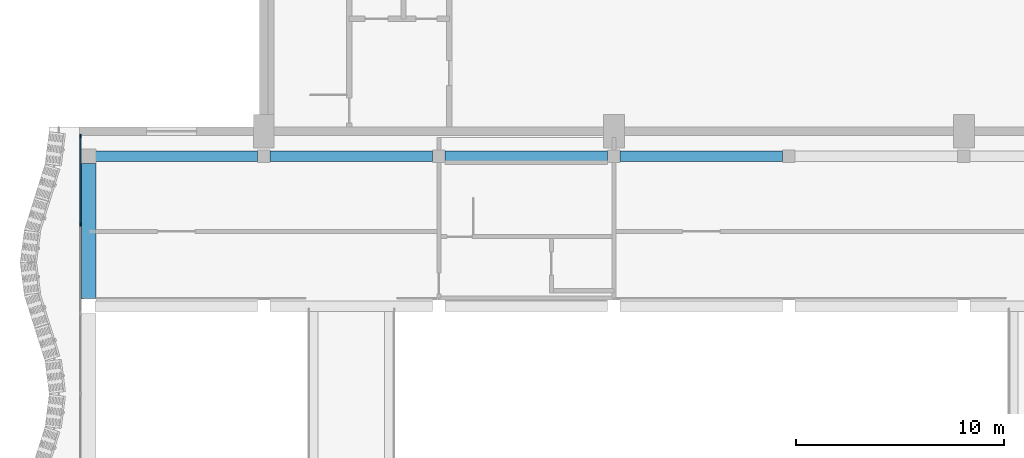
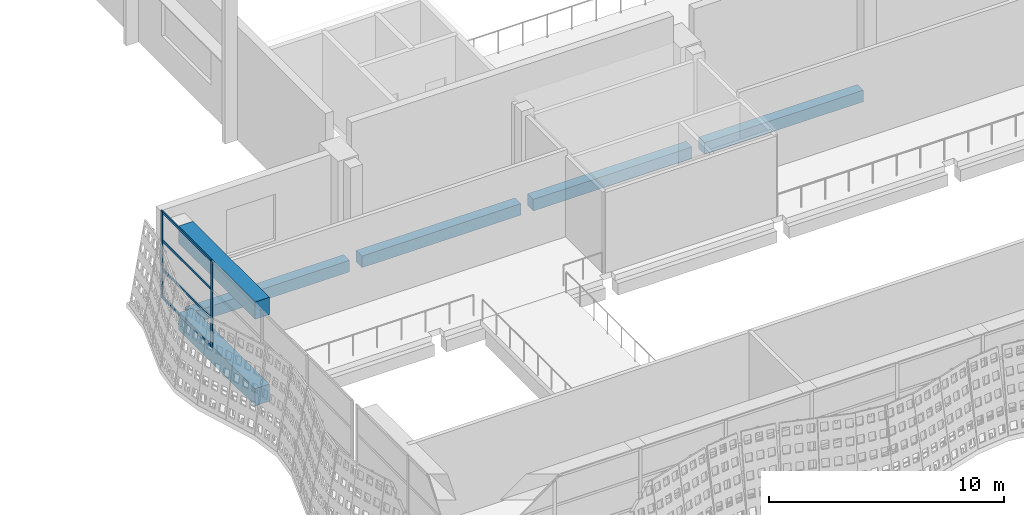
# One storey, part 30 of 162: 6 beams, 6 members, 1 element without a shape of its own.
"""IFC4 building model written with IfcOpenShell, lengths in metres."""

import ifcopenshell
import ifcopenshell.guid

model = None  # the IFC model being written
_history = None  # IfcOwnerHistory: only IFC2X3 demands one
_inside = {}  # id of a spatial element -> (the spatial element, [elements in it])
_under = {}  # id of a project, library or spatial element -> (it, [spatial elements below it])
_declared = {}  # id of a project -> (the project, [libraries it declares])
_typed = {}  # id of a type object -> (the type object, [elements of that type])
_made_of = {}  # id of a material, layer set ... -> (it, [elements and type objects made of it])


def new_model(schema):
    """Start an empty IFC model of exactly this schema.

    Asked for "IFC4X3", IfcOpenShell would pick the latest addendum, in which some entities
    have other attributes; the version numbers below select the first issue.
    IFC2X3 requires an IfcOwnerHistory on every rooted entity: one is made here for all.
    """
    global model, _history
    if schema == "IFC4X3":
        model = ifcopenshell.file(schema_version=(4, 3, 0, 0))
    else:
        model = ifcopenshell.file(schema=schema)
    _inside.clear()
    _under.clear()
    _declared.clear()
    _typed.clear()
    _made_of.clear()
    _history = None
    if model.schema == "IFC2X3":
        org = make("IfcOrganization", Name="unknown")
        user = make(
            "IfcPersonAndOrganization",
            ThePerson=make("IfcPerson", FamilyName="unknown"),
            TheOrganization=org,
        )
        app = make(
            "IfcApplication",
            ApplicationDeveloper=org,
            Version="unknown",
            ApplicationFullName="unknown",
            ApplicationIdentifier="unknown",
        )
        _history = make(
            "IfcOwnerHistory",
            OwningUser=user,
            OwningApplication=app,
            ChangeAction="ADDED",
            CreationDate=0,
        )
    return model


def make(cls, **values):
    """One entity of the class cls with the attributes given. An attribute that is None is left unset."""
    return model.create_entity(
        cls, **{name: value for name, value in values.items() if value is not None}
    )


def rooted(cls, **values):
    """An entity with a GlobalId (a new one), such as an element, a storey or a relation."""
    return make(cls, GlobalId=ifcopenshell.guid.new(), OwnerHistory=_history, **values)


def si_unit(unit_type, name, prefix=None):
    """IfcSIUnit, for example si_unit("LENGTHUNIT", "METRE", prefix="MILLI")."""
    return make("IfcSIUnit", UnitType=unit_type, Prefix=prefix, Name=name)


def assignment(units):
    """IfcUnitAssignment: the units of a project."""
    return None if units is None else make("IfcUnitAssignment", Units=units)


def point(xyz):
    """IfcCartesianPoint."""
    return None if xyz is None else make("IfcCartesianPoint", Coordinates=xyz)


def direction(xyz):
    """IfcDirection."""
    return None if xyz is None else make("IfcDirection", DirectionRatios=xyz)


def frame(location, z_axis=None, x_axis=None):
    """IfcAxis2Placement3D, a coordinate frame: its origin and axes. An axis left out is left unset."""
    return make(
        "IfcAxis2Placement3D",
        Location=point(location),
        Axis=direction(z_axis),
        RefDirection=direction(x_axis),
    )


def frame_2d(location, x_axis=None):
    """IfcAxis2Placement2D, a coordinate frame in the plane: its origin and x axis."""
    return make(
        "IfcAxis2Placement2D", Location=point(location), RefDirection=direction(x_axis)
    )


def origin():
    """The frame at (0, 0, 0) with its axes left unset."""
    return frame((0.0, 0.0, 0.0))


def origin_2d():
    """The frame at (0, 0) in the plane with its x axis left unset."""
    return frame_2d((0.0, 0.0))


def place(relative_to, where):
    """IfcLocalPlacement: puts the frame where relative to a parent placement (None: the world)."""
    return make(
        "IfcLocalPlacement", PlacementRelTo=relative_to, RelativePlacement=where
    )


def context(
    kind, dimensions, precision=None, world=None, true_north=None, identifier=None
):
    """IfcGeometricRepresentationContext, for example the 3D "Model" context."""
    return make(
        "IfcGeometricRepresentationContext",
        ContextIdentifier=identifier,
        ContextType=kind,
        CoordinateSpaceDimension=dimensions,
        Precision=precision,
        WorldCoordinateSystem=world,
        TrueNorth=true_north,
    )


def subcontext(parent, identifier, kind, view, scale=None):
    """IfcGeometricRepresentationSubContext, for example "Body" below "Model"."""
    return make(
        "IfcGeometricRepresentationSubContext",
        ContextIdentifier=identifier,
        ContextType=kind,
        ParentContext=parent,
        TargetScale=scale,
        TargetView=view,
    )


def project(units=None, contexts=None):
    """IfcProject with its units and contexts."""
    return rooted(
        "IfcProject",
        Name="project",
        RepresentationContexts=contexts,
        UnitsInContext=assignment(units),
    )


def spatial(cls, under=None, at=None, **own):
    """A site, building, storey or space (cls), placed at a placement, below another one or the project."""
    s = rooted(cls, ObjectPlacement=at, **own)
    if under is not None:
        _under.setdefault(under.id(), (under, []))[1].append(s)
    return s


def profile(cls, at=None, kind="AREA", **sizes):
    """A parametric profile (cls). Its sizes go by their IFC names, for example OverallWidth=200.0."""
    return make(cls, ProfileType=kind, Position=at, **sizes)


def rectangle(**sizes):
    """IfcRectangleProfileDef."""
    return profile("IfcRectangleProfileDef", **sizes)


def extrude(swept, where, along, depth):
    """IfcExtrudedAreaSolid: the profile swept, set in the frame where, extruded along a direction by depth."""
    return make(
        "IfcExtrudedAreaSolid",
        SweptArea=swept,
        Position=where,
        ExtrudedDirection=direction(along),
        Depth=depth,
    )


def shape(context_of_items, identifier, shape_type, items):
    """IfcShapeRepresentation: the items that make up one representation, for example the "Body"."""
    return make(
        "IfcShapeRepresentation",
        ContextOfItems=context_of_items,
        RepresentationIdentifier=identifier,
        RepresentationType=shape_type,
        Items=items,
    )


def material(Name=None, Category=None):
    """IfcMaterial."""
    return make("IfcMaterial", Name=Name, Category=Category)


def layer(
    of_material, thickness, ventilated=None, Name=None, Category=None, Priority=None
):
    """IfcMaterialLayer: one layer of a wall or slab, of a material (None: an air gap)."""
    return make(
        "IfcMaterialLayer",
        Material=of_material,
        LayerThickness=thickness,
        IsVentilated=ventilated,
        Name=Name,
        Category=Category,
        Priority=Priority,
    )


def layer_set(layers, Name=None):
    """IfcMaterialLayerSet."""
    return make("IfcMaterialLayerSet", MaterialLayers=layers, LayerSetName=Name)


def material_profile(
    of_material, cross_section, Name=None, Category=None, Priority=None
):
    """IfcMaterialProfile: a cross section and its material."""
    return make(
        "IfcMaterialProfile",
        Name=Name,
        Material=of_material,
        Profile=cross_section,
        Priority=Priority,
        Category=Category,
    )


def profile_set(profiles, Name=None, composite=None):
    """IfcMaterialProfileSet."""
    return make(
        "IfcMaterialProfileSet",
        Name=Name,
        MaterialProfiles=profiles,
        CompositeProfile=composite,
    )


def made_of(thing, what):
    """Note that an element or type object is made of a material, layer set ...; save() writes the relation."""
    if what is not None:
        _made_of.setdefault(what.id(), (what, []))[1].append(thing)
    return thing


def type_object(cls, material=None, **own):
    """A type object (cls), such as IfcWallType, which elements share."""
    return made_of(rooted(cls, **own), material)


def element(
    cls,
    number,
    at=None,
    inside=None,
    cuts=None,
    type_object=None,
    material=None,
    context=None,
    identifier="Body",
    shape_type=None,
    held_by="IfcProductDefinitionShape",
    body=None,
    shapes=None,
    **own,
):
    """One element of the class cls, such as IfcWall. Its Tag is "e" and its number.

    at: its placement. inside: the storey or other place that contains it. cuts: it is an
    opening in that element (IfcRelVoidsElement). A single representation is given by context,
    identifier, shape_type and body (its items); several are given by shapes. held_by: the class
    of the entity that holds the representations. save() writes the other relations.
    """
    e = rooted(cls, Tag="e%d" % number, ObjectPlacement=at, **own)
    if body is not None:
        shapes = [shape(context, identifier, shape_type, body)]
    if shapes is not None:
        e.Representation = make(held_by, Representations=shapes)
    if inside is not None:
        _inside.setdefault(inside.id(), (inside, []))[1].append(e)
    if cuts is not None:
        rooted(
            "IfcRelVoidsElement", RelatingBuildingElement=cuts, RelatedOpeningElement=e
        )
    if type_object is not None:
        _typed.setdefault(type_object.id(), (type_object, []))[1].append(e)
    return made_of(e, material)


def aggregate(whole, parts):
    """IfcRelAggregates: a whole, such as a stair, and the parts it consists of."""
    return rooted("IfcRelAggregates", RelatingObject=whole, RelatedObjects=parts)


def save(model, path):
    """Write the relations noted so far, then the file.

    IfcRelAggregates (storeys below a building ...), IfcRelContainedInSpatialStructure (elements
    in a storey), IfcRelDefinesByType, IfcRelAssociatesMaterial and IfcRelDeclares: one each for
    every whole, place, type object, material and project.
    """
    for whole, parts in _under.values():
        aggregate(whole, parts)
    for where, things in _inside.values():
        rooted(
            "IfcRelContainedInSpatialStructure",
            RelatedElements=things,
            RelatingStructure=where,
        )
    for kind, things in _typed.values():
        rooted("IfcRelDefinesByType", RelatedObjects=things, RelatingType=kind)
    for what, things in _made_of.values():
        rooted("IfcRelAssociatesMaterial", RelatedObjects=things, RelatingMaterial=what)
    for by, libraries in _declared.values():
        rooted("IfcRelDeclares", RelatingContext=by, RelatedDefinitions=libraries)
    model.write(path)


model = new_model("IFC4")

# Units and contexts
model_context = context("Model", 3, precision=1e-05, world=origin(), true_north=direction((0.0, 1.0)))
body_context = subcontext(model_context, "Body", "Model", "MODEL_VIEW")
ifc_project = project(units=[si_unit("LENGTHUNIT", "METRE"), si_unit("AREAUNIT", "SQUARE_METRE"), si_unit("VOLUMEUNIT", "CUBIC_METRE"), si_unit("PLANEANGLEUNIT", "RADIAN"), si_unit("MASSUNIT", "GRAM", prefix="KILO")], contexts=[model_context])

# Site, building, storey
site_placement = place(None, origin())
site = spatial("IfcSite", under=ifc_project, at=site_placement, CompositionType="ELEMENT")
building_placement = place(site_placement, origin())
building = spatial("IfcBuilding", under=site, at=building_placement, Name="Rain Tree Exposition and Congress Centre", CompositionType="ELEMENT")
storey_placement = place(building_placement, frame((0.0, 0.0, 6.0)))
storey = spatial("IfcBuildingStorey", under=building, at=storey_placement, Name="L01", CompositionType="ELEMENT", Elevation=6.0)

# Curtain wall, members
ifc_material_1 = material(Name="Aluminium curtain wall system", Category="aluminium")
ifc_layer = layer(ifc_material_1, 0.10009765625)
ifc_layer_set = layer_set([ifc_layer], Name="Aluminium curtain wall system")
curtain_wall_type = type_object("IfcCurtainWallType", Name="Concourse curtain wall 4200 module", PredefinedType="NOTDEFINED", material=ifc_layer_set)
curtain_wall_placement = place(storey_placement, origin())
curtain_wall = element("IfcCurtainWall", 1, at=curtain_wall_placement, inside=storey, type_object=curtain_wall_type, Name="Concourse curtain wall CWC34", PredefinedType="NOTDEFINED")
ifc_material_2 = material(Name="Aluminium mullion", Category="aluminium")
ifc_material_profile_1 = material_profile(ifc_material_2, rectangle(XDim=0.06005859375, YDim=0.159912109375, at=origin_2d()), Name="AL 60x160")
ifc_profile_set_1 = profile_set([ifc_material_profile_1], Name="Aluminium mullion")
member_type_1 = type_object("IfcMemberType", Name="Concourse curtain wall mullion 60x160", PredefinedType="MULLION", material=ifc_profile_set_1)
member_1_placement = place(storey_placement, frame((-0.39990234375, 96.324951171875, 0.0), z_axis=(0.0, 0.0, 1.0), x_axis=(-1.0, 0.0, 0.0)))
member_1 = element("IfcMember", 2, at=member_1_placement, type_object=member_type_1, Name="CWC34 mullion 2", PredefinedType="MULLION", context=body_context, shape_type="SweptSolid", body=[
    extrude(rectangle(XDim=0.06005859375, YDim=0.159912109375, at=origin_2d()), origin(), (0.0, 0.0, 1.0), 4.5),
])
member_2_placement = place(storey_placement, frame((-0.39990234375, 100.570068359375, 0.0), z_axis=(0.0, 0.0, 1.0), x_axis=(-1.0, 0.0, 0.0)))
member_2 = element("IfcMember", 3, at=member_2_placement, type_object=member_type_1, Name="CWC34 mullion 3", PredefinedType="MULLION", context=body_context, shape_type="SweptSolid", body=[
    extrude(rectangle(XDim=0.06005859375, YDim=0.159912109375, at=origin_2d()), origin(), (0.0, 0.0, 1.0), 4.5),
])
ifc_material_3 = material(Name="Aluminium transom", Category="aluminium")
ifc_material_profile_2 = material_profile(ifc_material_3, rectangle(XDim=0.06005859375, YDim=0.1201171875, at=origin_2d()), Name="AL 60x120")
ifc_profile_set_2 = profile_set([ifc_material_profile_2], Name="Aluminium transom")
member_type_2 = type_object("IfcMemberType", Name="Concourse curtain wall transom 60x120", PredefinedType="USERDEFINED", material=ifc_profile_set_2)
member_3_placement = place(storey_placement, frame((-0.39990234375, 96.35498046875, 0.030029296875), z_axis=(0.0, 1.0, 0.0), x_axis=(-1.0, 0.0, 0.0)))
member_3 = element("IfcMember", 4, at=member_3_placement, type_object=member_type_2, Name="CWC34 transom 2.1", ObjectType="TRANSOM", PredefinedType="USERDEFINED", context=body_context, shape_type="SweptSolid", body=[
    extrude(rectangle(XDim=0.06005859375, YDim=0.1201171875, at=origin_2d()), origin(), (0.0, 0.0, 1.0), 4.18505859375),
])
member_4_placement = place(storey_placement, frame((-0.39990234375, 96.35498046875, 1.5), z_axis=(0.0, 1.0, 0.0), x_axis=(-1.0, 0.0, 0.0)))
member_4 = element("IfcMember", 5, at=member_4_placement, type_object=member_type_2, Name="CWC34 transom 2.2", ObjectType="TRANSOM", PredefinedType="USERDEFINED", context=body_context, shape_type="SweptSolid", body=[
    extrude(rectangle(XDim=0.06005859375, YDim=0.1201171875, at=origin_2d()), origin(), (0.0, 0.0, 1.0), 4.18505859375),
])
member_5_placement = place(storey_placement, frame((-0.39990234375, 96.35498046875, 3.0), z_axis=(0.0, 1.0, 0.0), x_axis=(-1.0, 0.0, 0.0)))
member_5 = element("IfcMember", 6, at=member_5_placement, type_object=member_type_2, Name="CWC34 transom 2.3", ObjectType="TRANSOM", PredefinedType="USERDEFINED", context=body_context, shape_type="SweptSolid", body=[
    extrude(rectangle(XDim=0.06005859375, YDim=0.1201171875, at=origin_2d()), origin(), (0.0, 0.0, 1.0), 4.18505859375),
])
member_6_placement = place(storey_placement, frame((-0.39990234375, 96.35498046875, 4.469970703125), z_axis=(0.0, 1.0, 0.0), x_axis=(-1.0, 0.0, 0.0)))
member_6 = element("IfcMember", 7, at=member_6_placement, type_object=member_type_2, Name="CWC34 transom 2.4", ObjectType="TRANSOM", PredefinedType="USERDEFINED", context=body_context, shape_type="SweptSolid", body=[
    extrude(rectangle(XDim=0.06005859375, YDim=0.1201171875, at=origin_2d()), origin(), (0.0, 0.0, 1.0), 4.18505859375),
])
aggregate(curtain_wall, [member_1, member_2, member_3, member_4, member_5, member_6])

# Beams
ifc_material_4 = material(Name="Precast concrete C50/60", Category="concrete")
ifc_material_profile_3 = material_profile(ifc_material_4, rectangle(XDim=0.5, YDim=0.60009765625, at=origin_2d()), Name="RC 500x600")
ifc_profile_set_3 = profile_set([ifc_material_profile_3], Name="Precast concrete C50/60")
beam_type_1 = type_object("IfcBeamType", Name="Precast beam 500x600", PredefinedType="BEAM", material=ifc_profile_set_3)
for number, where, z_axis, x_axis, name in (
    (8, (0.300048828125, 99.60009765625, -0.60009765625), (1.0, 0.0, 0.0), (0.0, 1.0, 0.0), "Concourse floor beam 97"),
    (9, (8.699951171875, 99.60009765625, -0.60009765625), (1.0, 0.0, 0.0), (0.0, 1.0, 0.0), "Concourse floor beam 98"),
):
    element("IfcBeam", number, at=place(storey_placement, frame(where, z_axis=z_axis, x_axis=x_axis)), inside=storey, type_object=beam_type_1, Name=name, PredefinedType="BEAM", context=body_context, shape_type="SweptSolid", body=[
        extrude(rectangle(XDim=0.5, YDim=0.60009765625, at=origin_2d()), origin(), (0.0, 0.0, 1.0), 7.800048828125),
    ])
beam_1_placement = place(storey_placement, frame((17.10009765625, 99.60009765625, -0.60009765625), z_axis=(1.0, 0.0, 0.0), x_axis=(0.0, 1.0, 0.0)))
element("IfcBeam", 10, at=beam_1_placement, inside=storey, type_object=beam_type_1, Name="Concourse floor beam 99", PredefinedType="BEAM", context=body_context, shape_type="SweptSolid", body=[
    extrude(rectangle(XDim=0.5, YDim=0.60009765625, at=origin_2d()), origin(), (0.0, 0.0, 1.0), 7.7998046875),
])
beam_2_placement = place(storey_placement, frame((25.5, 99.60009765625, -0.60009765625), z_axis=(1.0, 0.0, 0.0), x_axis=(0.0, 1.0, 0.0)))
element("IfcBeam", 11, at=beam_2_placement, inside=storey, type_object=beam_type_1, Name="Concourse floor beam 100", PredefinedType="BEAM", context=body_context, shape_type="SweptSolid", body=[
    extrude(rectangle(XDim=0.5, YDim=0.60009765625, at=origin_2d()), origin(), (0.0, 0.0, 1.0), 7.800048828125),
])
ifc_material_5 = material(Name="Precast concrete C50/60", Category="concrete")
ifc_material_profile_4 = material_profile(ifc_material_5, rectangle(XDim=0.699951171875, YDim=0.89990234375, at=origin_2d()), Name="RC 700x900")
ifc_profile_set_4 = profile_set([ifc_material_profile_4], Name="Precast concrete C50/60")
beam_type_2 = type_object("IfcBeamType", Name="Precast beam 700x900", PredefinedType="BEAM", material=ifc_profile_set_4)
for number, where, z_axis, x_axis, name in (
    (12, (0.0, 92.75, -0.449951171875), (0.0, 1.0, 0.0), (-1.0, 0.0, 0.0), "Concourse edge beam 131"),
    (13, (0.0, 92.75, 4.050048828125), (0.0, 1.0, 0.0), (-1.0, 0.0, 0.0), "Concourse roof edge beam 34"),
):
    element("IfcBeam", number, at=place(storey_placement, frame(where, z_axis=z_axis, x_axis=x_axis)), inside=storey, type_object=beam_type_2, Name=name, PredefinedType="BEAM", context=body_context, shape_type="SweptSolid", body=[
        extrude(rectangle(XDim=0.699951171875, YDim=0.89990234375, at=origin_2d()), origin(), (0.0, 0.0, 1.0), 6.5),
    ])

save(model, "model.ifc")
